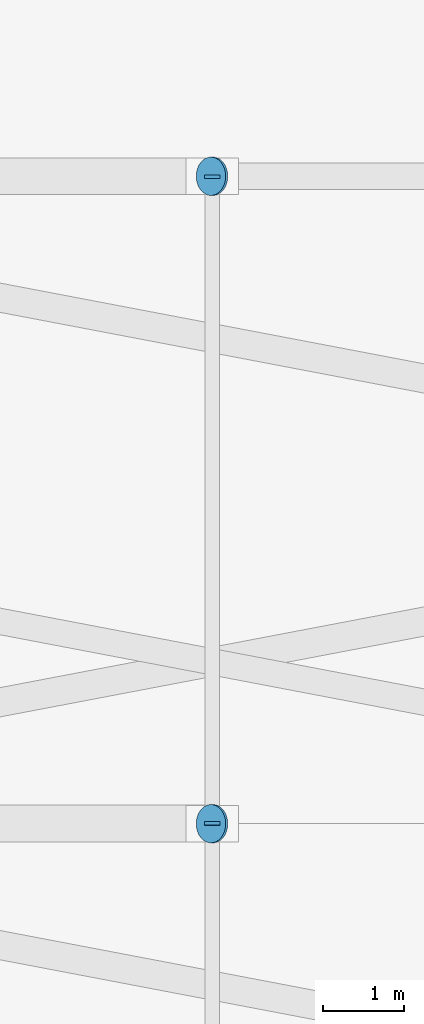
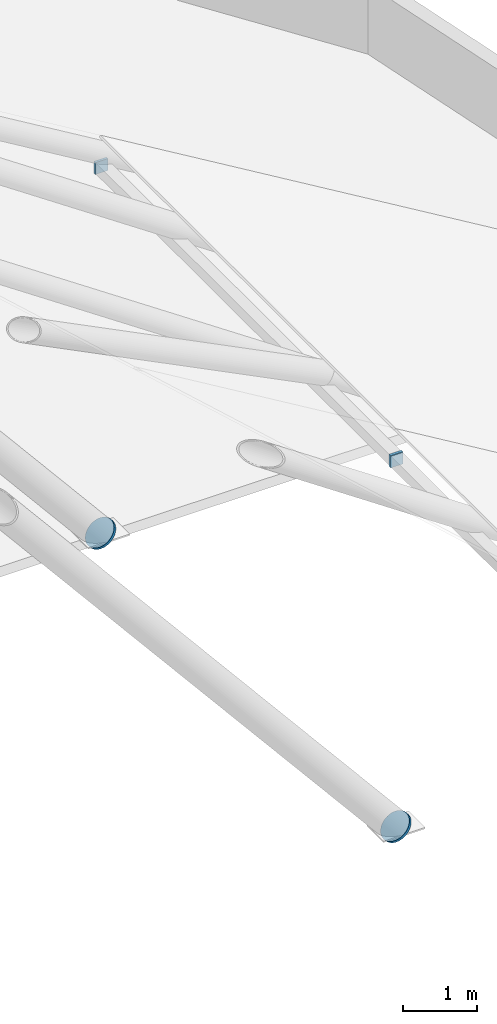
# One storey, part 35 of 44: 5 discrete accessories.
"""IFC4 building model written with IfcOpenShell, lengths in metres."""

from ifc_helpers import new_model, si_unit, direction, frame, origin, origin_2d, place, context, subcontext, project, spatial, rectangle, circle, extrude, material, element, save


model = new_model("IFC4")

# Units and contexts
model_context = context("Model", 3, precision=1e-05, world=origin(), true_north=direction((0.0, 1.0)))
body_context = subcontext(model_context, "Body", "Model", "MODEL_VIEW")
ifc_project = project(units=[si_unit("LENGTHUNIT", "METRE"), si_unit("AREAUNIT", "SQUARE_METRE"), si_unit("VOLUMEUNIT", "CUBIC_METRE"), si_unit("PLANEANGLEUNIT", "RADIAN"), si_unit("MASSUNIT", "GRAM", prefix="KILO")], contexts=[model_context])

# Site, building, storey
site_placement = place(None, origin())
site = spatial("IfcSite", under=ifc_project, at=site_placement, CompositionType="ELEMENT")
building_placement = place(site_placement, origin())
building = spatial("IfcBuilding", under=site, at=building_placement, Name="Marlcrest Central Station", CompositionType="ELEMENT")
storey_placement = place(building_placement, frame((0.0, 0.0, 19.5)))
storey = spatial("IfcBuildingStorey", under=building, at=storey_placement, Name="L04", CompositionType="ELEMENT", Elevation=19.5)

# Discrete accessories
ifc_material = material(Name="Steel S355", Category="steel")
for number, where, z_axis, x_axis, name in (
    (1, (118.509521484375, 102.5, -0.011474609375), (-0.640181471429, 0.0, 0.768223719784), (0.0, -1.0, 0.0), "endcap-mem-ST-01-L04-02377-s"),
    (2, (118.509521484375, 110.5, -0.011474609375), (-0.640181471429, 0.0, 0.768223719784), (0.0, -1.0, 0.0), "endcap-mem-ST-01-L04-02379-s"),
):
    element("IfcDiscreteAccessory", number, at=place(storey_placement, frame(where, z_axis=z_axis, x_axis=x_axis)), inside=storey, material=ifc_material, Name=name, ObjectType="END_CAP_PLATE", PredefinedType="BRACKET", context=body_context, shape_type="SweptSolid", body=[
        extrude(circle(Radius=0.236572265625, at=origin_2d()), origin(), (0.0, 0.0, 1.0), 0.0400390625),
    ])
for number, where, z_axis, x_axis, name in (
    (3, (118.5, 102.47509765625, 6.080078125), (0.0, 1.0, 0.0), (-1.0, 0.0, 0.0), "endcap-mem-PR-03-L04-02529-e"),
    (4, (118.5, 102.485107421875, 6.080078125), (0.0, 1.0, 0.0), (-1.0, 0.0, 0.0), "endcap-mem-PR-03-L04-02544-s"),
    (5, (118.5, 110.47509765625, 6.080078125), (0.0, 1.0, 0.0), (-1.0, 0.0, 0.0), "endcap-mem-PR-03-L04-02544-e"),
):
    element("IfcDiscreteAccessory", number, at=place(storey_placement, frame(where, z_axis=z_axis, x_axis=x_axis)), inside=storey, material=ifc_material, Name=name, ObjectType="END_CAP_PLATE", PredefinedType="BRACKET", context=body_context, shape_type="SweptSolid", body=[
        extrude(rectangle(XDim=0.196044921875, YDim=0.196044921875, at=origin_2d()), origin(), (0.0, 0.0, 1.0), 0.0400390625),
    ])

save(model, "model.ifc")
